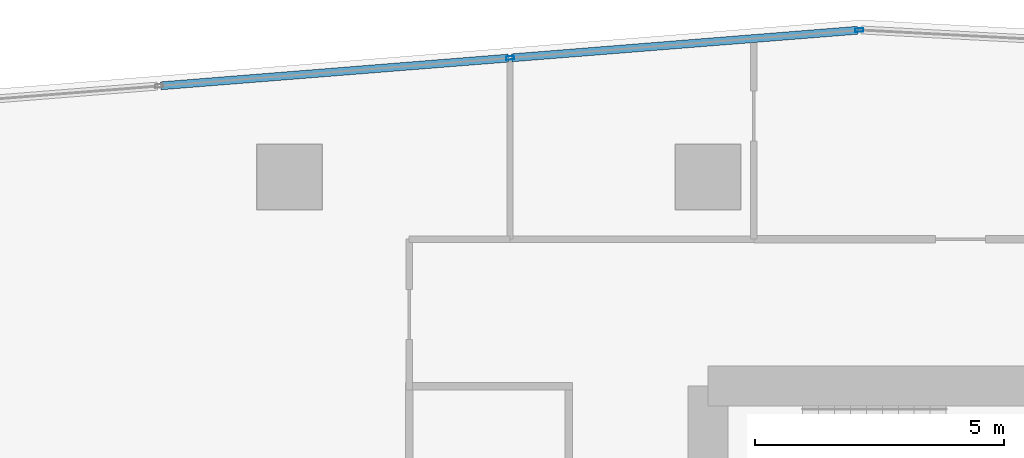
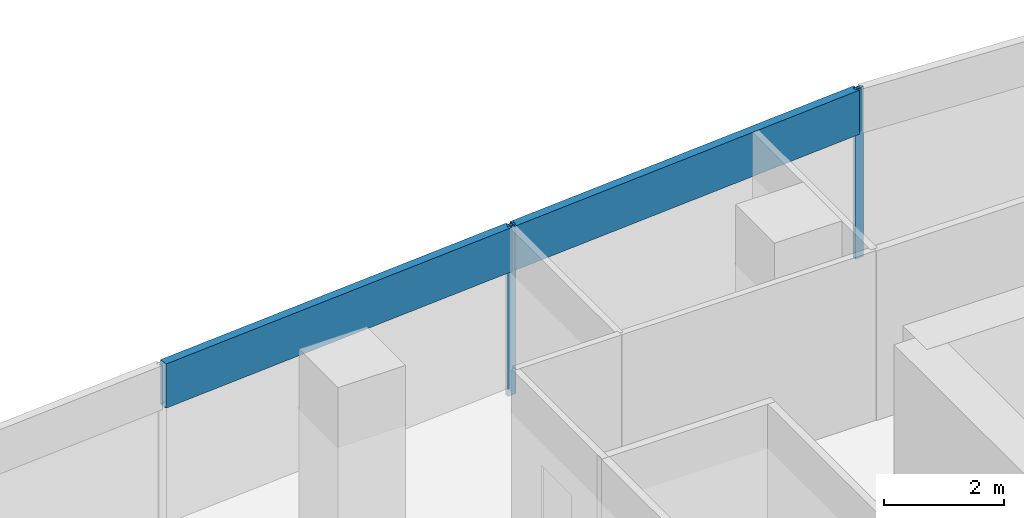
# One storey, part 16 of 30: 4 members, 1 element without a shape of its own.
"""IFC4 building model written with IfcOpenShell, lengths in metres."""

from ifc_helpers import new_model, si_unit, direction, frame, origin, origin_2d, place, context, subcontext, project, spatial, hollow_rectangle, extrude, material, material_profile, profile_set, type_object, element, aggregate, save


model = new_model("IFC4")

# Units and contexts
model_context = context("Model", 3, precision=1e-05, world=origin(), true_north=direction((0.0, 1.0)))
body_context = subcontext(model_context, "Body", "Model", "MODEL_VIEW")
ifc_project = project(units=[si_unit("LENGTHUNIT", "METRE"), si_unit("AREAUNIT", "SQUARE_METRE"), si_unit("VOLUMEUNIT", "CUBIC_METRE"), si_unit("PLANEANGLEUNIT", "RADIAN"), si_unit("MASSUNIT", "GRAM", prefix="KILO")], contexts=[model_context])

# Site, building, storey
site_placement = place(None, origin())
site = spatial("IfcSite", under=ifc_project, at=site_placement, CompositionType="ELEMENT")
building_placement = place(site_placement, origin())
building = spatial("IfcBuilding", under=site, at=building_placement, Name="Rekha Terrace Tower", CompositionType="ELEMENT")
storey_placement = place(building_placement, frame((0.0, 0.0, 287.60009765625)))
storey = spatial("IfcBuildingStorey", under=building, at=storey_placement, Name="L73", CompositionType="ELEMENT", Elevation=287.60009765625)

# Curtain wall, members
ifc_material_1 = material(Name="Aluminium framing", Category="aluminium")
curtain_wall_type = type_object("IfcCurtainWallType", Name="CW3 north unitised glazing", PredefinedType="USERDEFINED", material=ifc_material_1)
curtain_wall_placement = place(storey_placement, origin())
curtain_wall = element("IfcCurtainWall", 1, at=curtain_wall_placement, inside=storey, type_object=curtain_wall_type, Name="CW3 unitised curtain wall", ObjectType="UNITISED CURTAIN WALL", PredefinedType="USERDEFINED")
ifc_material_2 = material(Name="Aluminium mullion section", Category="aluminium")
ifc_material_profile_1 = material_profile(ifc_material_2, hollow_rectangle(XDim=0.070068359375, YDim=0.159912109375, WallThickness=0.00390625, at=origin_2d()), Name="AL RHS 70x160")
ifc_profile_set_1 = profile_set([ifc_material_profile_1], Name="Aluminium mullion section")
member_type_1 = type_object("IfcMemberType", Name="CW3 mullion RHS 70 x 160", PredefinedType="MULLION", material=ifc_profile_set_1)
member_1_placement = place(storey_placement, frame((28.23779296875, 53.3466796875, 0.0), z_axis=(0.0, 0.0, 1.0), x_axis=(0.07948505154, -0.996836058026, 0.0)))
member_1 = element("IfcMember", 2, at=member_1_placement, type_object=member_type_1, Name="CW3 mullion 1", PredefinedType="MULLION", context=body_context, shape_type="SweptSolid", body=[
    extrude(hollow_rectangle(XDim=0.070068359375, YDim=0.159912109375, WallThickness=0.00390625, at=origin_2d()), origin(), (0.0, 0.0, 1.0), 3.449951171875),
])
member_2_placement = place(storey_placement, frame((21.22705078125, 52.787841796875, 0.0), z_axis=(0.0, 0.0, 1.0), x_axis=(0.07948505154, -0.996836058026, 0.0)))
member_2 = element("IfcMember", 3, at=member_2_placement, type_object=member_type_1, Name="CW3 mullion 2", PredefinedType="MULLION", context=body_context, shape_type="SweptSolid", body=[
    extrude(hollow_rectangle(XDim=0.070068359375, YDim=0.159912109375, WallThickness=0.00390625, at=origin_2d()), origin(), (0.0, 0.0, 1.0), 3.449951171875),
])
ifc_material_3 = material(Name="Insulated aluminium spandrel box", Category="aluminium")
ifc_material_profile_2 = material_profile(ifc_material_3, hollow_rectangle(XDim=0.159912109375, YDim=0.89990234375, WallThickness=0.0029296875, at=origin_2d()), Name="AL SPANDREL BOX 160x900")
ifc_profile_set_2 = profile_set([ifc_material_profile_2], Name="Insulated aluminium spandrel box")
member_type_2 = type_object("IfcMemberType", Name="CW3 spandrel transom 160 x 900", PredefinedType="USERDEFINED", material=ifc_profile_set_2)
member_3_placement = place(storey_placement, frame((28.202880859375, 53.343994140625, 3.0), z_axis=(-0.996836091906, -0.079484626652, 0.0), x_axis=(0.079484626652, -0.996836091906, 0.0)))
member_3 = element("IfcMember", 4, at=member_3_placement, type_object=member_type_2, Name="CW3 spandrel transom 1", ObjectType="TRANSOM", PredefinedType="USERDEFINED", context=body_context, shape_type="SweptSolid", body=[
    extrude(hollow_rectangle(XDim=0.159912109375, YDim=0.89990234375, WallThickness=0.0029296875, at=origin_2d()), origin(), (0.0, 0.0, 1.0), 6.963134765625),
])
member_4_placement = place(storey_placement, frame((21.192138671875, 52.784912109375, 3.0), z_axis=(-0.996837204037, -0.079470677917, 0.0), x_axis=(0.079470677917, -0.996837204037, 0.0)))
member_4 = element("IfcMember", 5, at=member_4_placement, type_object=member_type_2, Name="CW3 spandrel transom 2", ObjectType="TRANSOM", PredefinedType="USERDEFINED", context=body_context, shape_type="SweptSolid", body=[
    extrude(hollow_rectangle(XDim=0.159912109375, YDim=0.89990234375, WallThickness=0.0029296875, at=origin_2d()), origin(), (0.0, 0.0, 1.0), 6.998291015625),
])
aggregate(curtain_wall, [member_1, member_2, member_3, member_4])

save(model, "model.ifc")
